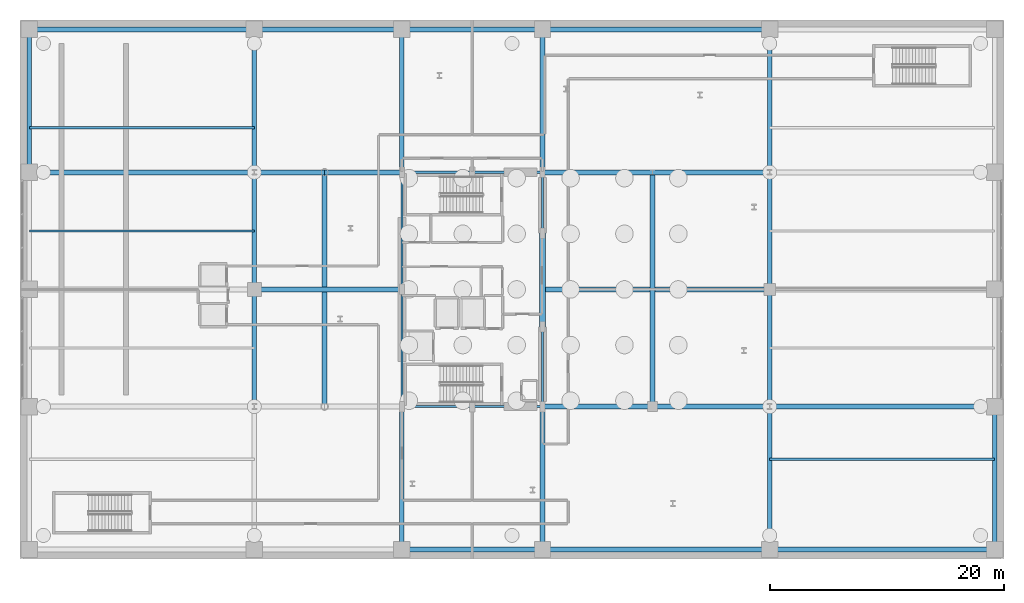
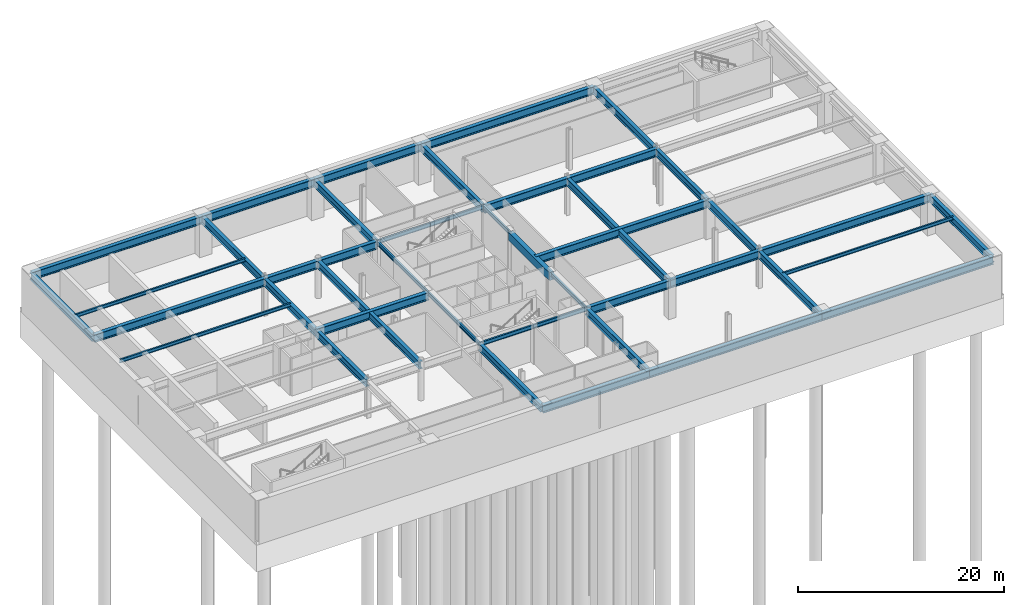
# One storey, part 11 of 25: 44 beams.
"""IFC4 building model written with IfcOpenShell, lengths in metres."""

import ifcopenshell
import ifcopenshell.guid

model = None  # the IFC model being written
_history = None  # IfcOwnerHistory: only IFC2X3 demands one
_inside = {}  # id of a spatial element -> (the spatial element, [elements in it])
_under = {}  # id of a project, library or spatial element -> (it, [spatial elements below it])
_declared = {}  # id of a project -> (the project, [libraries it declares])
_typed = {}  # id of a type object -> (the type object, [elements of that type])
_made_of = {}  # id of a material, layer set ... -> (it, [elements and type objects made of it])


def new_model(schema):
    """Start an empty IFC model of exactly this schema.

    Asked for "IFC4X3", IfcOpenShell would pick the latest addendum, in which some entities
    have other attributes; the version numbers below select the first issue.
    IFC2X3 requires an IfcOwnerHistory on every rooted entity: one is made here for all.
    """
    global model, _history
    if schema == "IFC4X3":
        model = ifcopenshell.file(schema_version=(4, 3, 0, 0))
    else:
        model = ifcopenshell.file(schema=schema)
    _inside.clear()
    _under.clear()
    _declared.clear()
    _typed.clear()
    _made_of.clear()
    _history = None
    if model.schema == "IFC2X3":
        org = make("IfcOrganization", Name="unknown")
        user = make(
            "IfcPersonAndOrganization",
            ThePerson=make("IfcPerson", FamilyName="unknown"),
            TheOrganization=org,
        )
        app = make(
            "IfcApplication",
            ApplicationDeveloper=org,
            Version="unknown",
            ApplicationFullName="unknown",
            ApplicationIdentifier="unknown",
        )
        _history = make(
            "IfcOwnerHistory",
            OwningUser=user,
            OwningApplication=app,
            ChangeAction="ADDED",
            CreationDate=0,
        )
    return model


def make(cls, **values):
    """One entity of the class cls with the attributes given. An attribute that is None is left unset."""
    return model.create_entity(
        cls, **{name: value for name, value in values.items() if value is not None}
    )


def rooted(cls, **values):
    """An entity with a GlobalId (a new one), such as an element, a storey or a relation."""
    return make(cls, GlobalId=ifcopenshell.guid.new(), OwnerHistory=_history, **values)


def si_unit(unit_type, name, prefix=None):
    """IfcSIUnit, for example si_unit("LENGTHUNIT", "METRE", prefix="MILLI")."""
    return make("IfcSIUnit", UnitType=unit_type, Prefix=prefix, Name=name)


def assignment(units):
    """IfcUnitAssignment: the units of a project."""
    return None if units is None else make("IfcUnitAssignment", Units=units)


def point(xyz):
    """IfcCartesianPoint."""
    return None if xyz is None else make("IfcCartesianPoint", Coordinates=xyz)


def direction(xyz):
    """IfcDirection."""
    return None if xyz is None else make("IfcDirection", DirectionRatios=xyz)


def frame(location, z_axis=None, x_axis=None):
    """IfcAxis2Placement3D, a coordinate frame: its origin and axes. An axis left out is left unset."""
    return make(
        "IfcAxis2Placement3D",
        Location=point(location),
        Axis=direction(z_axis),
        RefDirection=direction(x_axis),
    )


def frame_2d(location, x_axis=None):
    """IfcAxis2Placement2D, a coordinate frame in the plane: its origin and x axis."""
    return make(
        "IfcAxis2Placement2D", Location=point(location), RefDirection=direction(x_axis)
    )


def origin():
    """The frame at (0, 0, 0) with its axes left unset."""
    return frame((0.0, 0.0, 0.0))


def origin_2d():
    """The frame at (0, 0) in the plane with its x axis left unset."""
    return frame_2d((0.0, 0.0))


def place(relative_to, where):
    """IfcLocalPlacement: puts the frame where relative to a parent placement (None: the world)."""
    return make(
        "IfcLocalPlacement", PlacementRelTo=relative_to, RelativePlacement=where
    )


def context(
    kind, dimensions, precision=None, world=None, true_north=None, identifier=None
):
    """IfcGeometricRepresentationContext, for example the 3D "Model" context."""
    return make(
        "IfcGeometricRepresentationContext",
        ContextIdentifier=identifier,
        ContextType=kind,
        CoordinateSpaceDimension=dimensions,
        Precision=precision,
        WorldCoordinateSystem=world,
        TrueNorth=true_north,
    )


def subcontext(parent, identifier, kind, view, scale=None):
    """IfcGeometricRepresentationSubContext, for example "Body" below "Model"."""
    return make(
        "IfcGeometricRepresentationSubContext",
        ContextIdentifier=identifier,
        ContextType=kind,
        ParentContext=parent,
        TargetScale=scale,
        TargetView=view,
    )


def project(units=None, contexts=None):
    """IfcProject with its units and contexts."""
    return rooted(
        "IfcProject",
        Name="project",
        RepresentationContexts=contexts,
        UnitsInContext=assignment(units),
    )


def spatial(cls, under=None, at=None, **own):
    """A site, building, storey or space (cls), placed at a placement, below another one or the project."""
    s = rooted(cls, ObjectPlacement=at, **own)
    if under is not None:
        _under.setdefault(under.id(), (under, []))[1].append(s)
    return s


def profile(cls, at=None, kind="AREA", **sizes):
    """A parametric profile (cls). Its sizes go by their IFC names, for example OverallWidth=200.0."""
    return make(cls, ProfileType=kind, Position=at, **sizes)


def rectangle(**sizes):
    """IfcRectangleProfileDef."""
    return profile("IfcRectangleProfileDef", **sizes)


def i_section(**sizes):
    """IfcIShapeProfileDef."""
    return profile("IfcIShapeProfileDef", **sizes)


def extrude(swept, where, along, depth):
    """IfcExtrudedAreaSolid: the profile swept, set in the frame where, extruded along a direction by depth."""
    return make(
        "IfcExtrudedAreaSolid",
        SweptArea=swept,
        Position=where,
        ExtrudedDirection=direction(along),
        Depth=depth,
    )


def shape(context_of_items, identifier, shape_type, items):
    """IfcShapeRepresentation: the items that make up one representation, for example the "Body"."""
    return make(
        "IfcShapeRepresentation",
        ContextOfItems=context_of_items,
        RepresentationIdentifier=identifier,
        RepresentationType=shape_type,
        Items=items,
    )


def material(Name=None, Category=None):
    """IfcMaterial."""
    return make("IfcMaterial", Name=Name, Category=Category)


def material_profile(
    of_material, cross_section, Name=None, Category=None, Priority=None
):
    """IfcMaterialProfile: a cross section and its material."""
    return make(
        "IfcMaterialProfile",
        Name=Name,
        Material=of_material,
        Profile=cross_section,
        Priority=Priority,
        Category=Category,
    )


def profile_set(profiles, Name=None, composite=None):
    """IfcMaterialProfileSet."""
    return make(
        "IfcMaterialProfileSet",
        Name=Name,
        MaterialProfiles=profiles,
        CompositeProfile=composite,
    )


def made_of(thing, what):
    """Note that an element or type object is made of a material, layer set ...; save() writes the relation."""
    if what is not None:
        _made_of.setdefault(what.id(), (what, []))[1].append(thing)
    return thing


def type_object(cls, material=None, **own):
    """A type object (cls), such as IfcWallType, which elements share."""
    return made_of(rooted(cls, **own), material)


def element(
    cls,
    number,
    at=None,
    inside=None,
    cuts=None,
    type_object=None,
    material=None,
    context=None,
    identifier="Body",
    shape_type=None,
    held_by="IfcProductDefinitionShape",
    body=None,
    shapes=None,
    **own,
):
    """One element of the class cls, such as IfcWall. Its Tag is "e" and its number.

    at: its placement. inside: the storey or other place that contains it. cuts: it is an
    opening in that element (IfcRelVoidsElement). A single representation is given by context,
    identifier, shape_type and body (its items); several are given by shapes. held_by: the class
    of the entity that holds the representations. save() writes the other relations.
    """
    e = rooted(cls, Tag="e%d" % number, ObjectPlacement=at, **own)
    if body is not None:
        shapes = [shape(context, identifier, shape_type, body)]
    if shapes is not None:
        e.Representation = make(held_by, Representations=shapes)
    if inside is not None:
        _inside.setdefault(inside.id(), (inside, []))[1].append(e)
    if cuts is not None:
        rooted(
            "IfcRelVoidsElement", RelatingBuildingElement=cuts, RelatedOpeningElement=e
        )
    if type_object is not None:
        _typed.setdefault(type_object.id(), (type_object, []))[1].append(e)
    return made_of(e, material)


def aggregate(whole, parts):
    """IfcRelAggregates: a whole, such as a stair, and the parts it consists of."""
    return rooted("IfcRelAggregates", RelatingObject=whole, RelatedObjects=parts)


def save(model, path):
    """Write the relations noted so far, then the file.

    IfcRelAggregates (storeys below a building ...), IfcRelContainedInSpatialStructure (elements
    in a storey), IfcRelDefinesByType, IfcRelAssociatesMaterial and IfcRelDeclares: one each for
    every whole, place, type object, material and project.
    """
    for whole, parts in _under.values():
        aggregate(whole, parts)
    for where, things in _inside.values():
        rooted(
            "IfcRelContainedInSpatialStructure",
            RelatedElements=things,
            RelatingStructure=where,
        )
    for kind, things in _typed.values():
        rooted("IfcRelDefinesByType", RelatedObjects=things, RelatingType=kind)
    for what, things in _made_of.values():
        rooted("IfcRelAssociatesMaterial", RelatedObjects=things, RelatingMaterial=what)
    for by, libraries in _declared.values():
        rooted("IfcRelDeclares", RelatingContext=by, RelatedDefinitions=libraries)
    model.write(path)


model = new_model("IFC4")

# Units and contexts
model_context = context("Model", 3, precision=1e-05, world=origin(), true_north=direction((0.0, 1.0)))
body_context = subcontext(model_context, "Body", "Model", "MODEL_VIEW")
ifc_project = project(units=[si_unit("LENGTHUNIT", "METRE"), si_unit("AREAUNIT", "SQUARE_METRE"), si_unit("VOLUMEUNIT", "CUBIC_METRE"), si_unit("PLANEANGLEUNIT", "RADIAN"), si_unit("MASSUNIT", "GRAM", prefix="KILO")], contexts=[model_context])

# Site, building, storey
site_placement = place(None, origin())
site = spatial("IfcSite", under=ifc_project, at=site_placement, CompositionType="ELEMENT")
building_placement = place(site_placement, origin())
building = spatial("IfcBuilding", under=site, at=building_placement, Name="Soratama Intermodal Tower", CompositionType="ELEMENT")
storey_placement = place(building_placement, frame((0.0, 0.0, -10.199951171875)))
storey = spatial("IfcBuildingStorey", under=building, at=storey_placement, Name="B2", CompositionType="ELEMENT", Elevation=-10.199951171875)

# Beams
ifc_material_1 = material(Name="Concrete f'c 56 MPa", Category="concrete")
ifc_material_profile_1 = material_profile(ifc_material_1, rectangle(XDim=0.5, YDim=0.949951171875, at=origin_2d()), Name="RC500X950")
ifc_profile_set_1 = profile_set([ifc_material_profile_1], Name="Concrete f'c 56 MPa")
beam_type_1 = type_object("IfcBeamType", Name="BM-CPL-RC500X950", PredefinedType="BEAM", material=ifc_profile_set_1)
beam_1_placement = place(storey_placement, frame((44.60009765625, 21.800048828125, 3.96484375), z_axis=(0.0, 1.0, 0.0), x_axis=(-1.0, 0.0, 0.0)))
element("IfcBeam", 1, at=beam_1_placement, inside=storey, type_object=beam_type_1, Name="B2 Core Coupling Beam East", PredefinedType="BEAM", context=body_context, shape_type="SweptSolid", body=[
    extrude(rectangle(XDim=0.5, YDim=0.949951171875, at=origin_2d()), origin(), (0.0, 0.0, 1.0), 8.0),
])
ifc_material_2 = material(Name="Structural steel ASTM A992 Grade 50", Category="steel")
ifc_material_profile_2 = material_profile(ifc_material_2, i_section(OverallWidth=0.19091796875, OverallDepth=0.4599609375, WebThickness=0.010009765625, FlangeThickness=0.01611328125, FilletRadius=0.010986328125, at=origin_2d()), Name="W18X55")
ifc_profile_set_2 = profile_set([ifc_material_profile_2], Name="Structural steel ASTM A992 Grade 50")
beam_type_2 = type_object("IfcBeamType", Name="BM-FLR-W18X55", PredefinedType="BEAM", material=ifc_profile_set_2)
for number, where, z_axis, x_axis, name in (
    (2, (32.60009765625, 15.0, 4.2099609375), (1.0, 0.0, 0.0), (0.0, 1.0, 0.0), "BM-B2-CRING-01"),
    (3, (38.60009765625, 15.0, 4.2099609375), (1.0, 0.0, 0.0), (0.0, 1.0, 0.0), "BM-B2-CRING-02"),
):
    element("IfcBeam", number, at=place(storey_placement, frame(where, z_axis=z_axis, x_axis=x_axis)), inside=storey, type_object=beam_type_2, Name=name, PredefinedType="BEAM", context=body_context, shape_type="SweptSolid", body=[
        extrude(i_section(OverallWidth=0.19091796875, OverallDepth=0.4599609375, WebThickness=0.010009765625, FlangeThickness=0.01611328125, FilletRadius=0.010986328125, at=origin_2d()), origin(), (0.0, 0.0, 1.0), 6.0),
    ])
beam_2_placement = place(storey_placement, frame((44.60009765625, 15.0, 4.2099609375), z_axis=(0.0, 1.0, 0.0), x_axis=(-1.0, 0.0, 0.0)))
element("IfcBeam", 4, at=beam_2_placement, inside=storey, type_object=beam_type_2, Name="BM-B2-CRING-03", PredefinedType="BEAM", context=body_context, shape_type="SweptSolid", body=[
    extrude(i_section(OverallWidth=0.19091796875, OverallDepth=0.4599609375, WebThickness=0.010009765625, FlangeThickness=0.01611328125, FilletRadius=0.010986328125, at=origin_2d()), origin(), (0.0, 0.0, 1.0), 6.800048828125),
])
beam_3_placement = place(storey_placement, frame((44.60009765625, 29.800048828125, 4.2099609375), z_axis=(0.0, 1.0, 0.0), x_axis=(-1.0, 0.0, 0.0)))
element("IfcBeam", 5, at=beam_3_placement, inside=storey, type_object=beam_type_2, Name="BM-B2-CRING-05", PredefinedType="BEAM", context=body_context, shape_type="SweptSolid", body=[
    extrude(i_section(OverallWidth=0.19091796875, OverallDepth=0.4599609375, WebThickness=0.010009765625, FlangeThickness=0.01611328125, FilletRadius=0.010986328125, at=origin_2d()), origin(), (0.0, 0.0, 1.0), 5.199951171875),
])
for number, where, z_axis, x_axis, name in (
    (6, (44.60009765625, 35.0, 4.2099609375), (-1.0, 0.0, 0.0), (0.0, -1.0, 0.0), "BM-B2-CRING-06"),
    (7, (38.60009765625, 35.0, 4.2099609375), (-1.0, 0.0, 0.0), (0.0, -1.0, 0.0), "BM-B2-CRING-07"),
):
    element("IfcBeam", number, at=place(storey_placement, frame(where, z_axis=z_axis, x_axis=x_axis)), inside=storey, type_object=beam_type_2, Name=name, PredefinedType="BEAM", context=body_context, shape_type="SweptSolid", body=[
        extrude(i_section(OverallWidth=0.19091796875, OverallDepth=0.4599609375, WebThickness=0.010009765625, FlangeThickness=0.01611328125, FilletRadius=0.010986328125, at=origin_2d()), origin(), (0.0, 0.0, 1.0), 6.0),
    ])
for number, where, z_axis, x_axis, name in (
    (8, (32.60009765625, 35.0, 4.2099609375), (0.0, -1.0, 0.0), (1.0, 0.0, 0.0), "BM-B2-CRING-08"),
    (9, (32.60009765625, 25.0, 4.2099609375), (0.0, -1.0, 0.0), (1.0, 0.0, 0.0), "BM-B2-CRING-09"),
):
    element("IfcBeam", number, at=place(storey_placement, frame(where, z_axis=z_axis, x_axis=x_axis)), inside=storey, type_object=beam_type_2, Name=name, PredefinedType="BEAM", context=body_context, shape_type="SweptSolid", body=[
        extrude(i_section(OverallWidth=0.19091796875, OverallDepth=0.4599609375, WebThickness=0.010009765625, FlangeThickness=0.01611328125, FilletRadius=0.010986328125, at=origin_2d()), origin(), (0.0, 0.0, 1.0), 10.0),
    ])
ifc_material_3 = material(Name="Structural steel ASTM A992 Grade 50", Category="steel")
ifc_material_profile_3 = material_profile(ifc_material_3, i_section(OverallWidth=0.177978515625, OverallDepth=0.406982421875, WebThickness=0.0078125, FlangeThickness=0.0126953125, FilletRadius=0.010009765625, at=origin_2d()), Name="W16X40")
ifc_profile_set_3 = profile_set([ifc_material_profile_3], Name="Structural steel ASTM A992 Grade 50")
beam_type_3 = type_object("IfcBeamType", Name="BM-JST-W16X40", PredefinedType="JOIST", material=ifc_profile_set_3)
for number, where, z_axis, x_axis, name in (
    (10, (64.0, 10.5, 4.236572265625), (1.0, 0.0, 0.0), (0.0, 1.0, 0.0), "JST-B2-E1"),
    (11, (0.800048828125, 30.0, 4.236572265625), (1.0, 0.0, 0.0), (0.0, 1.0, 0.0), "JST-B2-W3"),
    (12, (0.800048828125, 38.800048828125, 4.236572265625), (1.0, 0.0, 0.0), (0.0, 1.0, 0.0), "JST-B2-W4"),
):
    element("IfcBeam", number, at=place(storey_placement, frame(where, z_axis=z_axis, x_axis=x_axis)), inside=storey, type_object=beam_type_3, Name=name, PredefinedType="JOIST", context=body_context, shape_type="SweptSolid", body=[
        extrude(i_section(OverallWidth=0.177978515625, OverallDepth=0.406982421875, WebThickness=0.0078125, FlangeThickness=0.0126953125, FilletRadius=0.010009765625, at=origin_2d()), origin(), (0.0, 0.0, 1.0), 19.199951171875),
    ])
ifc_material_4 = material(Name="Structural steel ASTM A992 Grade 50", Category="steel")
ifc_material_profile_4 = material_profile(ifc_material_4, i_section(OverallWidth=0.403076171875, OverallDepth=0.867919921875, WebThickness=0.02099609375, FlangeThickness=0.03564453125, FilletRadius=0.01806640625, at=origin_2d()), Name="W33X241")
ifc_profile_set_4 = profile_set([ifc_material_profile_4], Name="Structural steel ASTM A992 Grade 50")
beam_type_4 = type_object("IfcBeamType", Name="BM-POD-EXT-W33", PredefinedType="BEAM", material=ifc_profile_set_4)
for number, where, z_axis, x_axis, name in (
    (13, (0.800048828125, 35.0, 4.005859375), (0.0, 1.0, 0.0), (-1.0, 0.0, 0.0), "B2 Station Girder Y1-4"),
    (14, (83.199951171875, 2.800048828125, 4.005859375), (0.0, 1.0, 0.0), (-1.0, 0.0, 0.0), "B2 Station Girder Y4-1"),
):
    element("IfcBeam", number, at=place(storey_placement, frame(where, z_axis=z_axis, x_axis=x_axis)), inside=storey, type_object=beam_type_4, Name=name, PredefinedType="BEAM", context=body_context, shape_type="SweptSolid", body=[
        extrude(i_section(OverallWidth=0.403076171875, OverallDepth=0.867919921875, WebThickness=0.02099609375, FlangeThickness=0.03564453125, FilletRadius=0.01806640625, at=origin_2d()), origin(), (0.0, 0.0, 1.0), 12.199951171875),
    ])
ifc_material_5 = material(Name="Structural steel ASTM A992 Grade 50", Category="steel")
ifc_material_profile_5 = material_profile(ifc_material_5, i_section(OverallWidth=0.423095703125, OverallDepth=0.93896484375, WebThickness=0.02392578125, FlangeThickness=0.042724609375, FilletRadius=0.02392578125, at=origin_2d()), Name="W36X302")
ifc_profile_set_5 = profile_set([ifc_material_profile_5], Name="Structural steel ASTM A992 Grade 50")
beam_type_5 = type_object("IfcBeamType", Name="BM-POD-EXT-W36", PredefinedType="BEAM", material=ifc_profile_set_5)
beam_4_placement = place(storey_placement, frame((32.60009765625, 2.800048828125, 3.970458984375), z_axis=(1.0, 0.0, 0.0), x_axis=(0.0, 1.0, 0.0)))
element("IfcBeam", 15, at=beam_4_placement, inside=storey, type_object=beam_type_5, Name="B2 Station Girder X1-3", PredefinedType="BEAM", context=body_context, shape_type="SweptSolid", body=[
    extrude(i_section(OverallWidth=0.423095703125, OverallDepth=0.93896484375, WebThickness=0.02392578125, FlangeThickness=0.042724609375, FilletRadius=0.02392578125, at=origin_2d()), origin(), (0.0, 0.0, 1.0), 12.0),
])
beam_5_placement = place(storey_placement, frame((44.60009765625, 2.800048828125, 3.970458984375), z_axis=(1.0, 0.0, 0.0), x_axis=(0.0, 1.0, 0.0)))
element("IfcBeam", 16, at=beam_5_placement, inside=storey, type_object=beam_type_5, Name="B2 Station Girder X1-4", PredefinedType="BEAM", context=body_context, shape_type="SweptSolid", body=[
    extrude(i_section(OverallWidth=0.423095703125, OverallDepth=0.93896484375, WebThickness=0.02392578125, FlangeThickness=0.042724609375, FilletRadius=0.02392578125, at=origin_2d()), origin(), (0.0, 0.0, 1.0), 19.39990234375),
])
for number, where, z_axis, x_axis, name in (
    (17, (64.0, 2.800048828125, 3.970458984375), (1.0, 0.0, 0.0), (0.0, 1.0, 0.0), "B2 Station Girder X1-5"),
    (18, (0.800048828125, 47.199951171875, 3.970458984375), (1.0, 0.0, 0.0), (0.0, 1.0, 0.0), "B2 Station Girder X5-1"),
):
    element("IfcBeam", number, at=place(storey_placement, frame(where, z_axis=z_axis, x_axis=x_axis)), inside=storey, type_object=beam_type_5, Name=name, PredefinedType="BEAM", context=body_context, shape_type="SweptSolid", body=[
        extrude(i_section(OverallWidth=0.423095703125, OverallDepth=0.93896484375, WebThickness=0.02392578125, FlangeThickness=0.042724609375, FilletRadius=0.02392578125, at=origin_2d()), origin(), (0.0, 0.0, 1.0), 19.199951171875),
    ])
beam_6_placement = place(storey_placement, frame((20.0, 47.199951171875, 3.970458984375), z_axis=(1.0, 0.0, 0.0), x_axis=(0.0, 1.0, 0.0)))
element("IfcBeam", 19, at=beam_6_placement, inside=storey, type_object=beam_type_5, Name="B2 Station Girder X5-2", PredefinedType="BEAM", context=body_context, shape_type="SweptSolid", body=[
    extrude(i_section(OverallWidth=0.423095703125, OverallDepth=0.93896484375, WebThickness=0.02392578125, FlangeThickness=0.042724609375, FilletRadius=0.02392578125, at=origin_2d()), origin(), (0.0, 0.0, 1.0), 12.60009765625),
])
beam_7_placement = place(storey_placement, frame((32.60009765625, 47.199951171875, 3.970458984375), z_axis=(1.0, 0.0, 0.0), x_axis=(0.0, 1.0, 0.0)))
element("IfcBeam", 20, at=beam_7_placement, inside=storey, type_object=beam_type_5, Name="B2 Station Girder X5-3", PredefinedType="BEAM", context=body_context, shape_type="SweptSolid", body=[
    extrude(i_section(OverallWidth=0.423095703125, OverallDepth=0.93896484375, WebThickness=0.02392578125, FlangeThickness=0.042724609375, FilletRadius=0.02392578125, at=origin_2d()), origin(), (0.0, 0.0, 1.0), 12.0),
])
beam_8_placement = place(storey_placement, frame((44.60009765625, 47.199951171875, 3.970458984375), z_axis=(1.0, 0.0, 0.0), x_axis=(0.0, 1.0, 0.0)))
element("IfcBeam", 21, at=beam_8_placement, inside=storey, type_object=beam_type_5, Name="B2 Station Girder X5-4", PredefinedType="BEAM", context=body_context, shape_type="SweptSolid", body=[
    extrude(i_section(OverallWidth=0.423095703125, OverallDepth=0.93896484375, WebThickness=0.02392578125, FlangeThickness=0.042724609375, FilletRadius=0.02392578125, at=origin_2d()), origin(), (0.0, 0.0, 1.0), 19.39990234375),
])
ifc_material_6 = material(Name="Structural steel ASTM A992 Grade 50", Category="steel")
ifc_material_profile_6 = material_profile(ifc_material_6, i_section(OverallWidth=0.403076171875, OverallDepth=0.867919921875, WebThickness=0.02099609375, FlangeThickness=0.03564453125, FilletRadius=0.01806640625, at=origin_2d()), Name="W33X241")
ifc_profile_set_6 = profile_set([ifc_material_profile_6], Name="Structural steel ASTM A992 Grade 50")
beam_type_6 = type_object("IfcBeamType", Name="BM-POD-W33X241", PredefinedType="BEAM", material=ifc_profile_set_6)
for number, where, z_axis, x_axis, name in (
    (22, (20.0, 15.0, 4.005859375), (0.0, 1.0, 0.0), (-1.0, 0.0, 0.0), "B2 Station Girder Y2-2"),
    (23, (20.0, 25.0, 4.005859375), (0.0, 1.0, 0.0), (-1.0, 0.0, 0.0), "B2 Station Girder Y2-3"),
):
    element("IfcBeam", number, at=place(storey_placement, frame(where, z_axis=z_axis, x_axis=x_axis)), inside=storey, type_object=beam_type_6, Name=name, PredefinedType="BEAM", context=body_context, shape_type="SweptSolid", body=[
        extrude(i_section(OverallWidth=0.403076171875, OverallDepth=0.867919921875, WebThickness=0.02099609375, FlangeThickness=0.03564453125, FilletRadius=0.01806640625, at=origin_2d()), origin(), (0.0, 0.0, 1.0), 10.0),
    ])
for number, where, z_axis, x_axis, name in (
    (24, (20.0, 35.0, 4.005859375), (0.0, 1.0, 0.0), (-1.0, 0.0, 0.0), "B2 Station Girder Y2-4"),
    (25, (64.0, 2.800048828125, 4.005859375), (0.0, 1.0, 0.0), (-1.0, 0.0, 0.0), "B2 Station Girder Y3-1"),
):
    element("IfcBeam", number, at=place(storey_placement, frame(where, z_axis=z_axis, x_axis=x_axis)), inside=storey, type_object=beam_type_6, Name=name, PredefinedType="BEAM", context=body_context, shape_type="SweptSolid", body=[
        extrude(i_section(OverallWidth=0.403076171875, OverallDepth=0.867919921875, WebThickness=0.02099609375, FlangeThickness=0.03564453125, FilletRadius=0.01806640625, at=origin_2d()), origin(), (0.0, 0.0, 1.0), 12.199951171875),
    ])
for number, where, z_axis, x_axis, name in (
    (26, (64.0, 15.0, 4.005859375), (0.0, 1.0, 0.0), (-1.0, 0.0, 0.0), "B2 Station Girder Y3-2"),
    (27, (64.0, 25.0, 4.005859375), (0.0, 1.0, 0.0), (-1.0, 0.0, 0.0), "B2 Station Girder Y3-3"),
):
    element("IfcBeam", number, at=place(storey_placement, frame(where, z_axis=z_axis, x_axis=x_axis)), inside=storey, type_object=beam_type_6, Name=name, PredefinedType="BEAM", context=body_context, shape_type="SweptSolid", body=[
        extrude(i_section(OverallWidth=0.403076171875, OverallDepth=0.867919921875, WebThickness=0.02099609375, FlangeThickness=0.03564453125, FilletRadius=0.01806640625, at=origin_2d()), origin(), (0.0, 0.0, 1.0), 10.0),
    ])
for number, where, z_axis, x_axis, name in (
    (28, (64.0, 35.0, 4.005859375), (0.0, 1.0, 0.0), (-1.0, 0.0, 0.0), "B2 Station Girder Y3-4"),
    (29, (32.60009765625, 2.800048828125, 4.005859375), (0.0, 1.0, 0.0), (-1.0, 0.0, 0.0), "BM-B2-GYC-1-1"),
    (30, (32.60009765625, 35.0, 4.005859375), (0.0, 1.0, 0.0), (-1.0, 0.0, 0.0), "BM-B2-GYC-1-2"),
    (31, (44.60009765625, 2.800048828125, 4.005859375), (0.0, 1.0, 0.0), (-1.0, 0.0, 0.0), "BM-B2-GYC-2-1"),
    (32, (44.60009765625, 35.0, 4.005859375), (0.0, 1.0, 0.0), (-1.0, 0.0, 0.0), "BM-B2-GYC-2-2"),
):
    element("IfcBeam", number, at=place(storey_placement, frame(where, z_axis=z_axis, x_axis=x_axis)), inside=storey, type_object=beam_type_6, Name=name, PredefinedType="BEAM", context=body_context, shape_type="SweptSolid", body=[
        extrude(i_section(OverallWidth=0.403076171875, OverallDepth=0.867919921875, WebThickness=0.02099609375, FlangeThickness=0.03564453125, FilletRadius=0.01806640625, at=origin_2d()), origin(), (0.0, 0.0, 1.0), 12.199951171875),
    ])
for number, where, z_axis, x_axis, name in (
    (33, (26.0, 15.0, 4.005859375), (0.0, 1.0, 0.0), (-1.0, 0.0, 0.0), "BM-B2-GYS-1"),
    (34, (54.0, 15.0, 4.005859375), (0.0, 1.0, 0.0), (-1.0, 0.0, 0.0), "BM-B2-GYS-2"),
):
    element("IfcBeam", number, at=place(storey_placement, frame(where, z_axis=z_axis, x_axis=x_axis)), inside=storey, type_object=beam_type_6, Name=name, PredefinedType="BEAM", context=body_context, shape_type="SweptSolid", body=[
        extrude(i_section(OverallWidth=0.403076171875, OverallDepth=0.867919921875, WebThickness=0.02099609375, FlangeThickness=0.03564453125, FilletRadius=0.01806640625, at=origin_2d()), origin(), (0.0, 0.0, 1.0), 20.0),
    ])
ifc_material_7 = material(Name="Structural steel ASTM A992 Grade 50", Category="steel")
ifc_material_profile_7 = material_profile(ifc_material_7, i_section(OverallWidth=0.423095703125, OverallDepth=0.93896484375, WebThickness=0.02392578125, FlangeThickness=0.042724609375, FilletRadius=0.02392578125, at=origin_2d()), Name="W36X302")
ifc_profile_set_7 = profile_set([ifc_material_profile_7], Name="Structural steel ASTM A992 Grade 50")
beam_type_7 = type_object("IfcBeamType", Name="BM-POD-W36X302", PredefinedType="BEAM", material=ifc_profile_set_7)
beam_9_placement = place(storey_placement, frame((44.60009765625, 15.0, 3.970458984375), z_axis=(1.0, 0.0, 0.0), x_axis=(0.0, 1.0, 0.0)))
element("IfcBeam", 35, at=beam_9_placement, inside=storey, type_object=beam_type_7, Name="B2 Station Girder X2-4", PredefinedType="BEAM", context=body_context, shape_type="SweptSolid", body=[
    extrude(i_section(OverallWidth=0.423095703125, OverallDepth=0.93896484375, WebThickness=0.02392578125, FlangeThickness=0.042724609375, FilletRadius=0.02392578125, at=origin_2d()), origin(), (0.0, 0.0, 1.0), 9.39990234375),
])
beam_10_placement = place(storey_placement, frame((54.0, 15.0, 3.970458984375), z_axis=(1.0, 0.0, 0.0), x_axis=(0.0, 1.0, 0.0)))
element("IfcBeam", 36, at=beam_10_placement, inside=storey, type_object=beam_type_7, Name="B2 Station Girder X2-5", PredefinedType="BEAM", context=body_context, shape_type="SweptSolid", body=[
    extrude(i_section(OverallWidth=0.423095703125, OverallDepth=0.93896484375, WebThickness=0.02392578125, FlangeThickness=0.042724609375, FilletRadius=0.02392578125, at=origin_2d()), origin(), (0.0, 0.0, 1.0), 10.0),
])
beam_11_placement = place(storey_placement, frame((64.0, 15.0, 3.970458984375), z_axis=(1.0, 0.0, 0.0), x_axis=(0.0, 1.0, 0.0)))
element("IfcBeam", 37, at=beam_11_placement, inside=storey, type_object=beam_type_7, Name="B2 Station Girder X2-6", PredefinedType="BEAM", context=body_context, shape_type="SweptSolid", body=[
    extrude(i_section(OverallWidth=0.423095703125, OverallDepth=0.93896484375, WebThickness=0.02392578125, FlangeThickness=0.042724609375, FilletRadius=0.02392578125, at=origin_2d()), origin(), (0.0, 0.0, 1.0), 19.199951171875),
])
beam_12_placement = place(storey_placement, frame((20.0, 25.0, 3.970458984375), z_axis=(1.0, 0.0, 0.0), x_axis=(0.0, 1.0, 0.0)))
element("IfcBeam", 38, at=beam_12_placement, inside=storey, type_object=beam_type_7, Name="B2 Station Girder X3-1", PredefinedType="BEAM", context=body_context, shape_type="SweptSolid", body=[
    extrude(i_section(OverallWidth=0.423095703125, OverallDepth=0.93896484375, WebThickness=0.02392578125, FlangeThickness=0.042724609375, FilletRadius=0.02392578125, at=origin_2d()), origin(), (0.0, 0.0, 1.0), 12.60009765625),
])
beam_13_placement = place(storey_placement, frame((44.60009765625, 25.0, 3.970458984375), z_axis=(1.0, 0.0, 0.0), x_axis=(0.0, 1.0, 0.0)))
element("IfcBeam", 39, at=beam_13_placement, inside=storey, type_object=beam_type_7, Name="B2 Station Girder X3-2", PredefinedType="BEAM", context=body_context, shape_type="SweptSolid", body=[
    extrude(i_section(OverallWidth=0.423095703125, OverallDepth=0.93896484375, WebThickness=0.02392578125, FlangeThickness=0.042724609375, FilletRadius=0.02392578125, at=origin_2d()), origin(), (0.0, 0.0, 1.0), 19.39990234375),
])
beam_14_placement = place(storey_placement, frame((20.0, 35.0, 3.970458984375), z_axis=(1.0, 0.0, 0.0), x_axis=(0.0, 1.0, 0.0)))
element("IfcBeam", 40, at=beam_14_placement, inside=storey, type_object=beam_type_7, Name="B2 Station Girder X4-1", PredefinedType="BEAM", context=body_context, shape_type="SweptSolid", body=[
    extrude(i_section(OverallWidth=0.423095703125, OverallDepth=0.93896484375, WebThickness=0.02392578125, FlangeThickness=0.042724609375, FilletRadius=0.02392578125, at=origin_2d()), origin(), (0.0, 0.0, 1.0), 6.0),
])
beam_15_placement = place(storey_placement, frame((26.0, 35.0, 3.970458984375), z_axis=(1.0, 0.0, 0.0), x_axis=(0.0, 1.0, 0.0)))
element("IfcBeam", 41, at=beam_15_placement, inside=storey, type_object=beam_type_7, Name="B2 Station Girder X4-2", PredefinedType="BEAM", context=body_context, shape_type="SweptSolid", body=[
    extrude(i_section(OverallWidth=0.423095703125, OverallDepth=0.93896484375, WebThickness=0.02392578125, FlangeThickness=0.042724609375, FilletRadius=0.02392578125, at=origin_2d()), origin(), (0.0, 0.0, 1.0), 6.60009765625),
])
beam_16_placement = place(storey_placement, frame((44.60009765625, 35.0, 3.970458984375), z_axis=(1.0, 0.0, 0.0), x_axis=(0.0, 1.0, 0.0)))
element("IfcBeam", 42, at=beam_16_placement, inside=storey, type_object=beam_type_7, Name="B2 Station Girder X4-3", PredefinedType="BEAM", context=body_context, shape_type="SweptSolid", body=[
    extrude(i_section(OverallWidth=0.423095703125, OverallDepth=0.93896484375, WebThickness=0.02392578125, FlangeThickness=0.042724609375, FilletRadius=0.02392578125, at=origin_2d()), origin(), (0.0, 0.0, 1.0), 9.39990234375),
])
beam_17_placement = place(storey_placement, frame((54.0, 35.0, 3.970458984375), z_axis=(1.0, 0.0, 0.0), x_axis=(0.0, 1.0, 0.0)))
element("IfcBeam", 43, at=beam_17_placement, inside=storey, type_object=beam_type_7, Name="B2 Station Girder X4-4", PredefinedType="BEAM", context=body_context, shape_type="SweptSolid", body=[
    extrude(i_section(OverallWidth=0.423095703125, OverallDepth=0.93896484375, WebThickness=0.02392578125, FlangeThickness=0.042724609375, FilletRadius=0.02392578125, at=origin_2d()), origin(), (0.0, 0.0, 1.0), 10.0),
])
beam_18_placement = place(storey_placement, frame((0.800048828125, 35.0, 3.970458984375), z_axis=(1.0, 0.0, 0.0), x_axis=(0.0, 1.0, 0.0)))
element("IfcBeam", 44, at=beam_18_placement, inside=storey, type_object=beam_type_7, Name="B2 Station Girder X4-6", PredefinedType="BEAM", context=body_context, shape_type="SweptSolid", body=[
    extrude(i_section(OverallWidth=0.423095703125, OverallDepth=0.93896484375, WebThickness=0.02392578125, FlangeThickness=0.042724609375, FilletRadius=0.02392578125, at=origin_2d()), origin(), (0.0, 0.0, 1.0), 19.199951171875),
])

save(model, "model.ifc")
